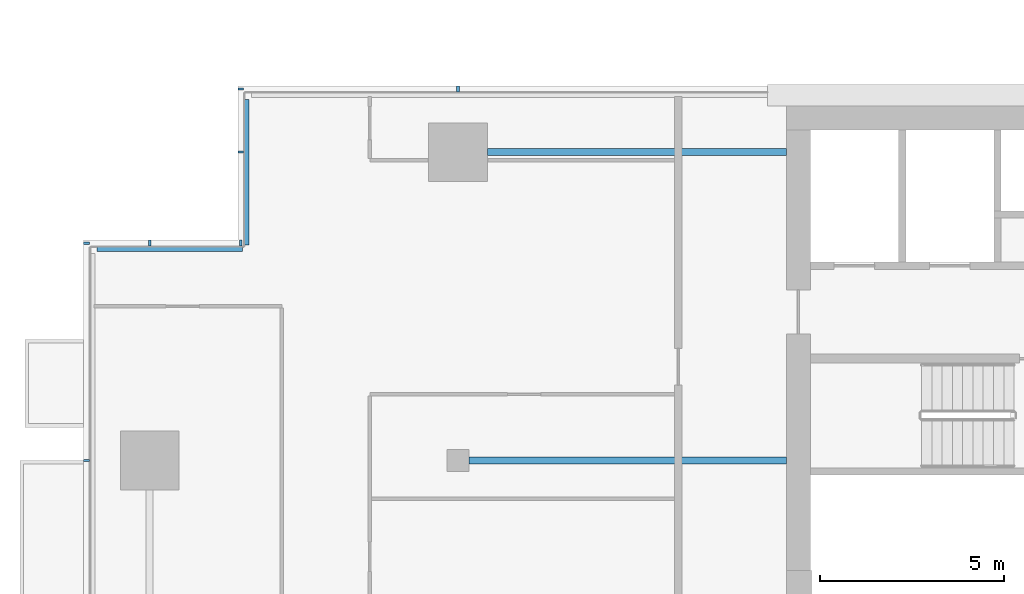
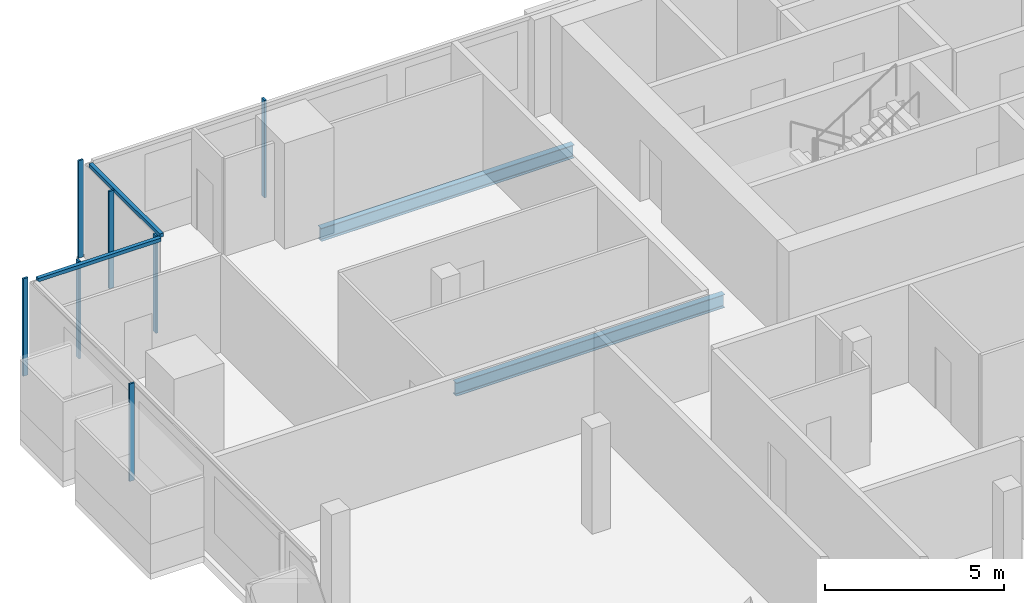
# One storey, part 8 of 27: 9 members, 2 beams, 4 elements without a shape of their own.
"""IFC4 building model written with IfcOpenShell, lengths in metres."""

import ifcopenshell
import ifcopenshell.guid

model = None  # the IFC model being written
_history = None  # IfcOwnerHistory: only IFC2X3 demands one
_inside = {}  # id of a spatial element -> (the spatial element, [elements in it])
_under = {}  # id of a project, library or spatial element -> (it, [spatial elements below it])
_declared = {}  # id of a project -> (the project, [libraries it declares])
_typed = {}  # id of a type object -> (the type object, [elements of that type])
_made_of = {}  # id of a material, layer set ... -> (it, [elements and type objects made of it])


def new_model(schema):
    """Start an empty IFC model of exactly this schema.

    Asked for "IFC4X3", IfcOpenShell would pick the latest addendum, in which some entities
    have other attributes; the version numbers below select the first issue.
    IFC2X3 requires an IfcOwnerHistory on every rooted entity: one is made here for all.
    """
    global model, _history
    if schema == "IFC4X3":
        model = ifcopenshell.file(schema_version=(4, 3, 0, 0))
    else:
        model = ifcopenshell.file(schema=schema)
    _inside.clear()
    _under.clear()
    _declared.clear()
    _typed.clear()
    _made_of.clear()
    _history = None
    if model.schema == "IFC2X3":
        org = make("IfcOrganization", Name="unknown")
        user = make(
            "IfcPersonAndOrganization",
            ThePerson=make("IfcPerson", FamilyName="unknown"),
            TheOrganization=org,
        )
        app = make(
            "IfcApplication",
            ApplicationDeveloper=org,
            Version="unknown",
            ApplicationFullName="unknown",
            ApplicationIdentifier="unknown",
        )
        _history = make(
            "IfcOwnerHistory",
            OwningUser=user,
            OwningApplication=app,
            ChangeAction="ADDED",
            CreationDate=0,
        )
    return model


def make(cls, **values):
    """One entity of the class cls with the attributes given. An attribute that is None is left unset."""
    return model.create_entity(
        cls, **{name: value for name, value in values.items() if value is not None}
    )


def rooted(cls, **values):
    """An entity with a GlobalId (a new one), such as an element, a storey or a relation."""
    return make(cls, GlobalId=ifcopenshell.guid.new(), OwnerHistory=_history, **values)


def si_unit(unit_type, name, prefix=None):
    """IfcSIUnit, for example si_unit("LENGTHUNIT", "METRE", prefix="MILLI")."""
    return make("IfcSIUnit", UnitType=unit_type, Prefix=prefix, Name=name)


def assignment(units):
    """IfcUnitAssignment: the units of a project."""
    return None if units is None else make("IfcUnitAssignment", Units=units)


def point(xyz):
    """IfcCartesianPoint."""
    return None if xyz is None else make("IfcCartesianPoint", Coordinates=xyz)


def direction(xyz):
    """IfcDirection."""
    return None if xyz is None else make("IfcDirection", DirectionRatios=xyz)


def frame(location, z_axis=None, x_axis=None):
    """IfcAxis2Placement3D, a coordinate frame: its origin and axes. An axis left out is left unset."""
    return make(
        "IfcAxis2Placement3D",
        Location=point(location),
        Axis=direction(z_axis),
        RefDirection=direction(x_axis),
    )


def frame_2d(location, x_axis=None):
    """IfcAxis2Placement2D, a coordinate frame in the plane: its origin and x axis."""
    return make(
        "IfcAxis2Placement2D", Location=point(location), RefDirection=direction(x_axis)
    )


def origin():
    """The frame at (0, 0, 0) with its axes left unset."""
    return frame((0.0, 0.0, 0.0))


def origin_2d():
    """The frame at (0, 0) in the plane with its x axis left unset."""
    return frame_2d((0.0, 0.0))


def place(relative_to, where):
    """IfcLocalPlacement: puts the frame where relative to a parent placement (None: the world)."""
    return make(
        "IfcLocalPlacement", PlacementRelTo=relative_to, RelativePlacement=where
    )


def context(
    kind, dimensions, precision=None, world=None, true_north=None, identifier=None
):
    """IfcGeometricRepresentationContext, for example the 3D "Model" context."""
    return make(
        "IfcGeometricRepresentationContext",
        ContextIdentifier=identifier,
        ContextType=kind,
        CoordinateSpaceDimension=dimensions,
        Precision=precision,
        WorldCoordinateSystem=world,
        TrueNorth=true_north,
    )


def subcontext(parent, identifier, kind, view, scale=None):
    """IfcGeometricRepresentationSubContext, for example "Body" below "Model"."""
    return make(
        "IfcGeometricRepresentationSubContext",
        ContextIdentifier=identifier,
        ContextType=kind,
        ParentContext=parent,
        TargetScale=scale,
        TargetView=view,
    )


def project(units=None, contexts=None):
    """IfcProject with its units and contexts."""
    return rooted(
        "IfcProject",
        Name="project",
        RepresentationContexts=contexts,
        UnitsInContext=assignment(units),
    )


def spatial(cls, under=None, at=None, **own):
    """A site, building, storey or space (cls), placed at a placement, below another one or the project."""
    s = rooted(cls, ObjectPlacement=at, **own)
    if under is not None:
        _under.setdefault(under.id(), (under, []))[1].append(s)
    return s


def profile(cls, at=None, kind="AREA", **sizes):
    """A parametric profile (cls). Its sizes go by their IFC names, for example OverallWidth=200.0."""
    return make(cls, ProfileType=kind, Position=at, **sizes)


def rectangle(**sizes):
    """IfcRectangleProfileDef."""
    return profile("IfcRectangleProfileDef", **sizes)


def i_section(**sizes):
    """IfcIShapeProfileDef."""
    return profile("IfcIShapeProfileDef", **sizes)


def extrude(swept, where, along, depth):
    """IfcExtrudedAreaSolid: the profile swept, set in the frame where, extruded along a direction by depth."""
    return make(
        "IfcExtrudedAreaSolid",
        SweptArea=swept,
        Position=where,
        ExtrudedDirection=direction(along),
        Depth=depth,
    )


def shape(context_of_items, identifier, shape_type, items):
    """IfcShapeRepresentation: the items that make up one representation, for example the "Body"."""
    return make(
        "IfcShapeRepresentation",
        ContextOfItems=context_of_items,
        RepresentationIdentifier=identifier,
        RepresentationType=shape_type,
        Items=items,
    )


def material(Name=None, Category=None):
    """IfcMaterial."""
    return make("IfcMaterial", Name=Name, Category=Category)


def material_profile(
    of_material, cross_section, Name=None, Category=None, Priority=None
):
    """IfcMaterialProfile: a cross section and its material."""
    return make(
        "IfcMaterialProfile",
        Name=Name,
        Material=of_material,
        Profile=cross_section,
        Priority=Priority,
        Category=Category,
    )


def profile_set(profiles, Name=None, composite=None):
    """IfcMaterialProfileSet."""
    return make(
        "IfcMaterialProfileSet",
        Name=Name,
        MaterialProfiles=profiles,
        CompositeProfile=composite,
    )


def made_of(thing, what):
    """Note that an element or type object is made of a material, layer set ...; save() writes the relation."""
    if what is not None:
        _made_of.setdefault(what.id(), (what, []))[1].append(thing)
    return thing


def type_object(cls, material=None, **own):
    """A type object (cls), such as IfcWallType, which elements share."""
    return made_of(rooted(cls, **own), material)


def element(
    cls,
    number,
    at=None,
    inside=None,
    cuts=None,
    type_object=None,
    material=None,
    context=None,
    identifier="Body",
    shape_type=None,
    held_by="IfcProductDefinitionShape",
    body=None,
    shapes=None,
    **own,
):
    """One element of the class cls, such as IfcWall. Its Tag is "e" and its number.

    at: its placement. inside: the storey or other place that contains it. cuts: it is an
    opening in that element (IfcRelVoidsElement). A single representation is given by context,
    identifier, shape_type and body (its items); several are given by shapes. held_by: the class
    of the entity that holds the representations. save() writes the other relations.
    """
    e = rooted(cls, Tag="e%d" % number, ObjectPlacement=at, **own)
    if body is not None:
        shapes = [shape(context, identifier, shape_type, body)]
    if shapes is not None:
        e.Representation = make(held_by, Representations=shapes)
    if inside is not None:
        _inside.setdefault(inside.id(), (inside, []))[1].append(e)
    if cuts is not None:
        rooted(
            "IfcRelVoidsElement", RelatingBuildingElement=cuts, RelatedOpeningElement=e
        )
    if type_object is not None:
        _typed.setdefault(type_object.id(), (type_object, []))[1].append(e)
    return made_of(e, material)


def aggregate(whole, parts):
    """IfcRelAggregates: a whole, such as a stair, and the parts it consists of."""
    return rooted("IfcRelAggregates", RelatingObject=whole, RelatedObjects=parts)


def save(model, path):
    """Write the relations noted so far, then the file.

    IfcRelAggregates (storeys below a building ...), IfcRelContainedInSpatialStructure (elements
    in a storey), IfcRelDefinesByType, IfcRelAssociatesMaterial and IfcRelDeclares: one each for
    every whole, place, type object, material and project.
    """
    for whole, parts in _under.values():
        aggregate(whole, parts)
    for where, things in _inside.values():
        rooted(
            "IfcRelContainedInSpatialStructure",
            RelatedElements=things,
            RelatingStructure=where,
        )
    for kind, things in _typed.values():
        rooted("IfcRelDefinesByType", RelatedObjects=things, RelatingType=kind)
    for what, things in _made_of.values():
        rooted("IfcRelAssociatesMaterial", RelatedObjects=things, RelatingMaterial=what)
    for by, libraries in _declared.values():
        rooted("IfcRelDeclares", RelatingContext=by, RelatedDefinitions=libraries)
    model.write(path)


model = new_model("IFC4")

# Units and contexts
model_context = context("Model", 3, precision=1e-05, world=origin(), true_north=direction((0.0, 1.0)))
body_context = subcontext(model_context, "Body", "Model", "MODEL_VIEW")
ifc_project = project(units=[si_unit("LENGTHUNIT", "METRE"), si_unit("AREAUNIT", "SQUARE_METRE"), si_unit("VOLUMEUNIT", "CUBIC_METRE"), si_unit("PLANEANGLEUNIT", "RADIAN"), si_unit("MASSUNIT", "GRAM", prefix="KILO")], contexts=[model_context])

# Site, building, storey
site_placement = place(None, origin())
site = spatial("IfcSite", under=ifc_project, at=site_placement, CompositionType="ELEMENT")
building_placement = place(site_placement, origin())
building = spatial("IfcBuilding", under=site, at=building_placement, Name="Saffron Gate Tower", CompositionType="ELEMENT")
storey_placement = place(building_placement, frame((0.0, 0.0, 209.10009765625)))
storey = spatial("IfcBuildingStorey", under=building, at=storey_placement, Name="L50", CompositionType="ELEMENT", Elevation=209.10009765625)

# Beams
ifc_material_1 = material(Name="Structural steel S355", Category="steel")
ifc_material_profile_1 = material_profile(ifc_material_1, i_section(OverallWidth=0.18994140625, OverallDepth=0.449951171875, WebThickness=0.009521484375, FlangeThickness=0.0146484375, FilletRadius=0.02099609375, at=origin_2d()))
ifc_profile_set_1 = profile_set([ifc_material_profile_1], Name="Structural steel S355")
beam_type = type_object("IfcBeamType", Name="B6 IPE 450", PredefinedType="BEAM", material=ifc_profile_set_1)
beam_1_placement = place(storey_placement, frame((58.5, 65.39990234375, -0.505126953125), z_axis=(1.0, 0.0, 0.0), x_axis=(0.0, 1.0, 0.0)))
element("IfcBeam", 1, at=beam_1_placement, inside=storey, type_object=beam_type, Name="B6 CORE TIE BEAM", PredefinedType="BEAM", context=body_context, shape_type="SweptSolid", body=[
    extrude(i_section(OverallWidth=0.18994140625, OverallDepth=0.449951171875, WebThickness=0.009521484375, FlangeThickness=0.0146484375, FilletRadius=0.02099609375, at=origin_2d()), origin(), (0.0, 0.0, 1.0), 8.64990234375),
])
beam_2_placement = place(storey_placement, frame((59.0, 73.800048828125, -0.505126953125), z_axis=(1.0, 0.0, 0.0), x_axis=(0.0, 1.0, 0.0)))
element("IfcBeam", 2, at=beam_2_placement, inside=storey, type_object=beam_type, Name="B6 CORE TIE BEAM", PredefinedType="BEAM", context=body_context, shape_type="SweptSolid", body=[
    extrude(i_section(OverallWidth=0.18994140625, OverallDepth=0.449951171875, WebThickness=0.009521484375, FlangeThickness=0.0146484375, FilletRadius=0.02099609375, at=origin_2d()), origin(), (0.0, 0.0, 1.0), 8.14990234375),
])

# Curtain wall, members
ifc_material_2 = material(Name="Aluminium, bronze anodised", Category="aluminium")
curtain_wall_type_1 = type_object("IfcCurtainWallType", Name="CWS2 curtain wall side facades", PredefinedType="NOTDEFINED", material=ifc_material_2)
curtain_wall_1_placement = place(storey_placement, origin())
curtain_wall_1 = element("IfcCurtainWall", 3, at=curtain_wall_1_placement, inside=storey, type_object=curtain_wall_type_1, Name="CWS2 run 10", PredefinedType="NOTDEFINED")
ifc_material_profile_2 = material_profile(ifc_material_2, rectangle(XDim=0.159912109375, YDim=0.06005859375, at=origin_2d()))
ifc_profile_set_2 = profile_set([ifc_material_profile_2], Name="Aluminium, bronze anodised")
member_type_1 = type_object("IfcMemberType", Name="CWS2 mullion 60x160", PredefinedType="MULLION", material=ifc_profile_set_2)
member_1_placement = place(storey_placement, frame((48.080078125, 71.320068359375, 0.0), z_axis=(0.0, 0.0, 1.0), x_axis=(1.0, 0.0, 0.0)))
member_1 = element("IfcMember", 4, at=member_1_placement, type_object=member_type_1, Name="CWS2 mullion 1", PredefinedType="MULLION", context=body_context, shape_type="SweptSolid", body=[
    extrude(rectangle(XDim=0.159912109375, YDim=0.06005859375, at=origin_2d()), origin(), (0.0, 0.0, 1.0), 3.31982421875),
])
member_2_placement = place(storey_placement, frame((48.080078125, 65.39990234375, 0.0), z_axis=(0.0, 0.0, 1.0), x_axis=(1.0, 0.0, 0.0)))
member_2 = element("IfcMember", 5, at=member_2_placement, type_object=member_type_1, Name="CWS2 mullion 2", PredefinedType="MULLION", context=body_context, shape_type="SweptSolid", body=[
    extrude(rectangle(XDim=0.159912109375, YDim=0.06005859375, at=origin_2d()), origin(), (0.0, 0.0, 1.0), 3.31982421875),
])
aggregate(curtain_wall_1, [member_1, member_2])

# Curtain wall, member
curtain_wall_type_2 = type_object("IfcCurtainWallType", Name="CWS3 curtain wall rear facade", PredefinedType="NOTDEFINED", material=ifc_material_2)
curtain_wall_2_placement = place(storey_placement, origin())
curtain_wall_2 = element("IfcCurtainWall", 6, at=curtain_wall_2_placement, inside=storey, type_object=curtain_wall_type_2, Name="CWS3 run 7", PredefinedType="NOTDEFINED")
ifc_material_profile_3 = material_profile(ifc_material_2, rectangle(XDim=0.159912109375, YDim=0.070068359375, at=origin_2d()))
ifc_profile_set_3 = profile_set([ifc_material_profile_3], Name="Aluminium, bronze anodised")
member_type_2 = type_object("IfcMemberType", Name="CWS3 mullion 70x160", PredefinedType="MULLION", material=ifc_profile_set_3)
member_3_placement = place(storey_placement, frame((58.199951171875, 75.52001953125, 0.0), z_axis=(0.0, 0.0, 1.0), x_axis=(0.0, -1.0, 0.0)))
member_3 = element("IfcMember", 7, at=member_3_placement, type_object=member_type_2, Name="CWS3 mullion 9", PredefinedType="MULLION", context=body_context, shape_type="SweptSolid", body=[
    extrude(rectangle(XDim=0.159912109375, YDim=0.070068359375, at=origin_2d()), origin(), (0.0, 0.0, 1.0), 3.31982421875),
])
aggregate(curtain_wall_2, [member_3])

curtain_wall_type_3 = type_object("IfcCurtainWallType", Name="CWS4 curtain wall corner returns", PredefinedType="NOTDEFINED", material=ifc_material_2)
curtain_wall_3_placement = place(storey_placement, origin())
curtain_wall_3 = element("IfcCurtainWall", 8, at=curtain_wall_3_placement, inside=storey, type_object=curtain_wall_type_3, Name="CWS4 run 8", PredefinedType="NOTDEFINED")
ifc_material_profile_4 = material_profile(ifc_material_2, rectangle(XDim=0.1201171875, YDim=0.1201171875, at=origin_2d()))
ifc_profile_set_4 = profile_set([ifc_material_profile_4], Name="Aluminium, bronze anodised")
member_type_3 = type_object("IfcMemberType", Name="CWS4 head transom", PredefinedType="USERDEFINED", material=ifc_profile_set_4)
member_4_placement = place(storey_placement, frame((52.447998046875, 75.23193359375, 3.260009765625), z_axis=(0.0, -1.0, 0.0), x_axis=(1.0, 0.0, 0.0)))
member_4 = element("IfcMember", 9, at=member_4_placement, type_object=member_type_3, Name="CWS4 head transom", ObjectType="TRANSOM", PredefinedType="USERDEFINED", context=body_context, shape_type="SweptSolid", body=[
    extrude(rectangle(XDim=0.1201171875, YDim=0.1201171875, at=origin_2d()), origin(), (0.0, 0.0, 1.0), 3.9599609375),
])

curtain_wall_4_placement = place(storey_placement, origin())
curtain_wall_4 = element("IfcCurtainWall", 10, at=curtain_wall_4_placement, inside=storey, type_object=curtain_wall_type_3, Name="CWS4 run 9", PredefinedType="NOTDEFINED")
member_5_placement = place(storey_placement, frame((52.327880859375, 71.152099609375, 3.260009765625), z_axis=(-1.0, 0.0, 0.0), x_axis=(0.0, -1.0, 0.0)))
member_5 = element("IfcMember", 11, at=member_5_placement, type_object=member_type_3, Name="CWS4 head transom", ObjectType="TRANSOM", PredefinedType="USERDEFINED", context=body_context, shape_type="SweptSolid", body=[
    extrude(rectangle(XDim=0.1201171875, YDim=0.1201171875, at=origin_2d()), origin(), (0.0, 0.0, 1.0), 3.9599609375),
])

# Member
ifc_material_profile_5 = material_profile(ifc_material_2, rectangle(XDim=0.159912109375, YDim=0.06005859375, at=origin_2d()))
ifc_profile_set_5 = profile_set([ifc_material_profile_5], Name="Aluminium, bronze anodised")
member_type_4 = type_object("IfcMemberType", Name="CWS4 mullion 60x160", PredefinedType="MULLION", material=ifc_profile_set_5)
member_6_placement = place(storey_placement, frame((52.280029296875, 75.52001953125, 0.0), z_axis=(0.0, 0.0, 1.0), x_axis=(1.0, 0.0, 0.0)))
member_6 = element("IfcMember", 12, at=member_6_placement, type_object=member_type_4, Name="CWS4 mullion 1", PredefinedType="MULLION", context=body_context, shape_type="SweptSolid", body=[
    extrude(rectangle(XDim=0.159912109375, YDim=0.06005859375, at=origin_2d()), origin(), (0.0, 0.0, 1.0), 3.31982421875),
])

member_7_placement = place(storey_placement, frame((52.280029296875, 73.800048828125, 0.0), z_axis=(0.0, 0.0, 1.0), x_axis=(1.0, 0.0, 0.0)))
member_7 = element("IfcMember", 13, at=member_7_placement, type_object=member_type_4, Name="CWS4 mullion 2", PredefinedType="MULLION", context=body_context, shape_type="SweptSolid", body=[
    extrude(rectangle(XDim=0.159912109375, YDim=0.06005859375, at=origin_2d()), origin(), (0.0, 0.0, 1.0), 3.31982421875),
])

aggregate(curtain_wall_3, [member_6, member_7, member_4])

member_8_placement = place(storey_placement, frame((52.280029296875, 71.320068359375, 0.0), z_axis=(0.0, 0.0, 1.0), x_axis=(0.0, -1.0, 0.0)))
member_8 = element("IfcMember", 14, at=member_8_placement, type_object=member_type_4, Name="CWS4 mullion 1", PredefinedType="MULLION", context=body_context, shape_type="SweptSolid", body=[
    extrude(rectangle(XDim=0.159912109375, YDim=0.06005859375, at=origin_2d()), origin(), (0.0, 0.0, 1.0), 3.31982421875),
])

member_9_placement = place(storey_placement, frame((49.800048828125, 71.320068359375, 0.0), z_axis=(0.0, 0.0, 1.0), x_axis=(0.0, -1.0, 0.0)))
member_9 = element("IfcMember", 15, at=member_9_placement, type_object=member_type_4, Name="CWS4 mullion 2", PredefinedType="MULLION", context=body_context, shape_type="SweptSolid", body=[
    extrude(rectangle(XDim=0.159912109375, YDim=0.06005859375, at=origin_2d()), origin(), (0.0, 0.0, 1.0), 3.31982421875),
])

aggregate(curtain_wall_4, [member_8, member_9, member_5])

save(model, "model.ifc")
